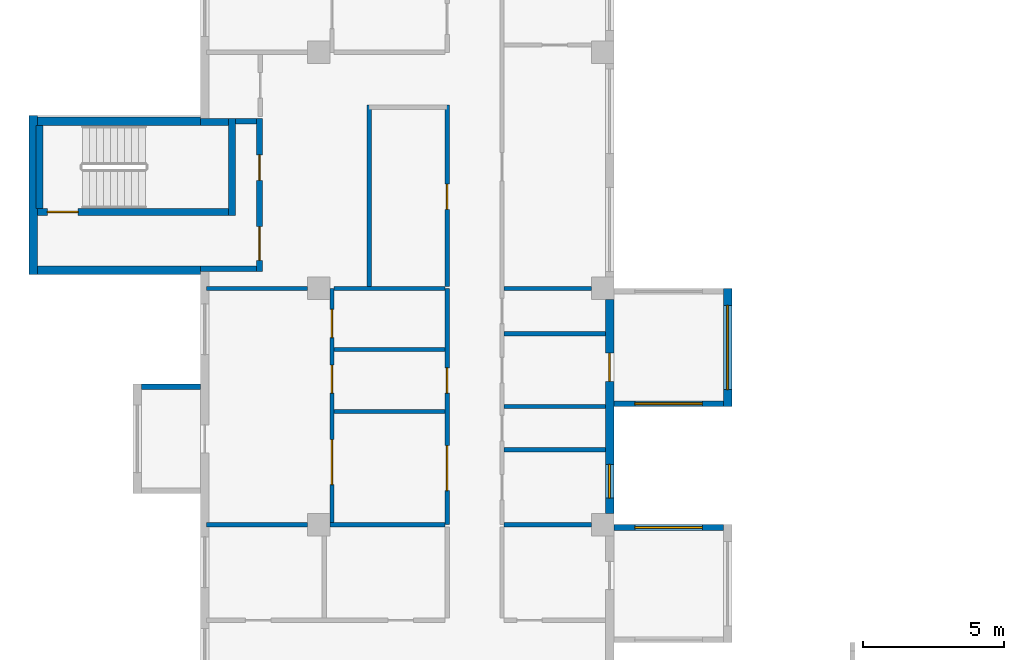
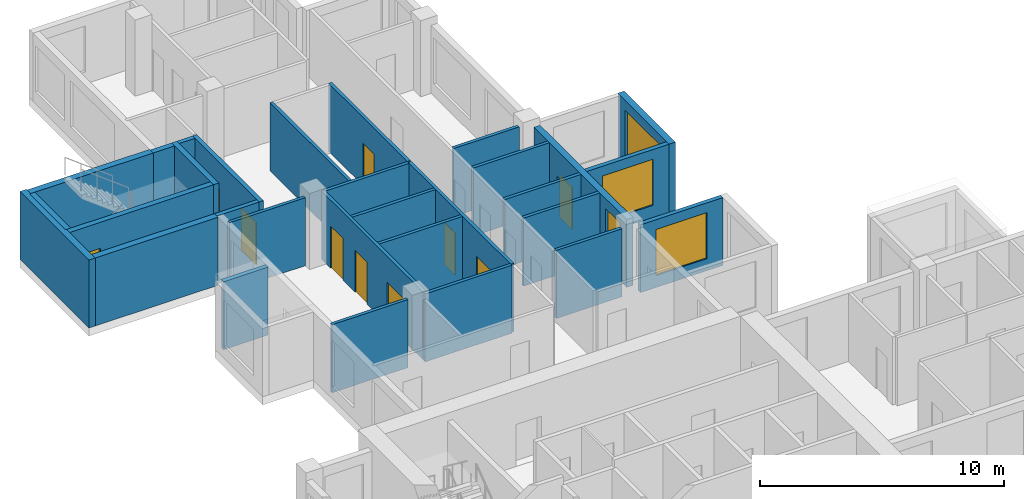
# One storey, part 6 of 11: 30 walls, 10 doors, 4 windows, 14 openings.
"""IFC4 building model written with IfcOpenShell, lengths in metres."""

import ifcopenshell
import ifcopenshell.guid

model = None  # the IFC model being written
_history = None  # IfcOwnerHistory: only IFC2X3 demands one
_inside = {}  # id of a spatial element -> (the spatial element, [elements in it])
_under = {}  # id of a project, library or spatial element -> (it, [spatial elements below it])
_declared = {}  # id of a project -> (the project, [libraries it declares])
_typed = {}  # id of a type object -> (the type object, [elements of that type])
_made_of = {}  # id of a material, layer set ... -> (it, [elements and type objects made of it])


def new_model(schema):
    """Start an empty IFC model of exactly this schema.

    Asked for "IFC4X3", IfcOpenShell would pick the latest addendum, in which some entities
    have other attributes; the version numbers below select the first issue.
    IFC2X3 requires an IfcOwnerHistory on every rooted entity: one is made here for all.
    """
    global model, _history
    if schema == "IFC4X3":
        model = ifcopenshell.file(schema_version=(4, 3, 0, 0))
    else:
        model = ifcopenshell.file(schema=schema)
    _inside.clear()
    _under.clear()
    _declared.clear()
    _typed.clear()
    _made_of.clear()
    _history = None
    if model.schema == "IFC2X3":
        org = make("IfcOrganization", Name="unknown")
        user = make(
            "IfcPersonAndOrganization",
            ThePerson=make("IfcPerson", FamilyName="unknown"),
            TheOrganization=org,
        )
        app = make(
            "IfcApplication",
            ApplicationDeveloper=org,
            Version="unknown",
            ApplicationFullName="unknown",
            ApplicationIdentifier="unknown",
        )
        _history = make(
            "IfcOwnerHistory",
            OwningUser=user,
            OwningApplication=app,
            ChangeAction="ADDED",
            CreationDate=0,
        )
    return model


def make(cls, **values):
    """One entity of the class cls with the attributes given. An attribute that is None is left unset."""
    return model.create_entity(
        cls, **{name: value for name, value in values.items() if value is not None}
    )


def rooted(cls, **values):
    """An entity with a GlobalId (a new one), such as an element, a storey or a relation."""
    return make(cls, GlobalId=ifcopenshell.guid.new(), OwnerHistory=_history, **values)


def si_unit(unit_type, name, prefix=None):
    """IfcSIUnit, for example si_unit("LENGTHUNIT", "METRE", prefix="MILLI")."""
    return make("IfcSIUnit", UnitType=unit_type, Prefix=prefix, Name=name)


def assignment(units):
    """IfcUnitAssignment: the units of a project."""
    return None if units is None else make("IfcUnitAssignment", Units=units)


def point(xyz):
    """IfcCartesianPoint."""
    return None if xyz is None else make("IfcCartesianPoint", Coordinates=xyz)


def direction(xyz):
    """IfcDirection."""
    return None if xyz is None else make("IfcDirection", DirectionRatios=xyz)


def frame(location, z_axis=None, x_axis=None):
    """IfcAxis2Placement3D, a coordinate frame: its origin and axes. An axis left out is left unset."""
    return make(
        "IfcAxis2Placement3D",
        Location=point(location),
        Axis=direction(z_axis),
        RefDirection=direction(x_axis),
    )


def frame_2d(location, x_axis=None):
    """IfcAxis2Placement2D, a coordinate frame in the plane: its origin and x axis."""
    return make(
        "IfcAxis2Placement2D", Location=point(location), RefDirection=direction(x_axis)
    )


def origin():
    """The frame at (0, 0, 0) with its axes left unset."""
    return frame((0.0, 0.0, 0.0))


def place(relative_to, where):
    """IfcLocalPlacement: puts the frame where relative to a parent placement (None: the world)."""
    return make(
        "IfcLocalPlacement", PlacementRelTo=relative_to, RelativePlacement=where
    )


def context(
    kind, dimensions, precision=None, world=None, true_north=None, identifier=None
):
    """IfcGeometricRepresentationContext, for example the 3D "Model" context."""
    return make(
        "IfcGeometricRepresentationContext",
        ContextIdentifier=identifier,
        ContextType=kind,
        CoordinateSpaceDimension=dimensions,
        Precision=precision,
        WorldCoordinateSystem=world,
        TrueNorth=true_north,
    )


def subcontext(parent, identifier, kind, view, scale=None):
    """IfcGeometricRepresentationSubContext, for example "Body" below "Model"."""
    return make(
        "IfcGeometricRepresentationSubContext",
        ContextIdentifier=identifier,
        ContextType=kind,
        ParentContext=parent,
        TargetScale=scale,
        TargetView=view,
    )


def project(units=None, contexts=None):
    """IfcProject with its units and contexts."""
    return rooted(
        "IfcProject",
        Name="project",
        RepresentationContexts=contexts,
        UnitsInContext=assignment(units),
    )


def spatial(cls, under=None, at=None, **own):
    """A site, building, storey or space (cls), placed at a placement, below another one or the project."""
    s = rooted(cls, ObjectPlacement=at, **own)
    if under is not None:
        _under.setdefault(under.id(), (under, []))[1].append(s)
    return s


def profile(cls, at=None, kind="AREA", **sizes):
    """A parametric profile (cls). Its sizes go by their IFC names, for example OverallWidth=200.0."""
    return make(cls, ProfileType=kind, Position=at, **sizes)


def rectangle(**sizes):
    """IfcRectangleProfileDef."""
    return profile("IfcRectangleProfileDef", **sizes)


def extrude(swept, where, along, depth):
    """IfcExtrudedAreaSolid: the profile swept, set in the frame where, extruded along a direction by depth."""
    return make(
        "IfcExtrudedAreaSolid",
        SweptArea=swept,
        Position=where,
        ExtrudedDirection=direction(along),
        Depth=depth,
    )


def shape(context_of_items, identifier, shape_type, items):
    """IfcShapeRepresentation: the items that make up one representation, for example the "Body"."""
    return make(
        "IfcShapeRepresentation",
        ContextOfItems=context_of_items,
        RepresentationIdentifier=identifier,
        RepresentationType=shape_type,
        Items=items,
    )


def source(mapping_origin, context_of_items, identifier, shape_type, items):
    """IfcRepresentationMap: a shape defined once, which mapped items show again and again."""
    return make(
        "IfcRepresentationMap",
        MappingOrigin=mapping_origin,
        MappedRepresentation=shape(context_of_items, identifier, shape_type, items),
    )


def transform(
    local_origin,
    x_axis=None,
    y_axis=None,
    z_axis=None,
    scale=None,
    scale2=None,
    scale3=None,
    uniform=True,
):
    """IfcCartesianTransformationOperator3D, or its non-uniform kind. x_axis, y_axis, z_axis: its Axis1, 2, 3."""
    if uniform:
        return make(
            "IfcCartesianTransformationOperator3D",
            Axis1=direction(x_axis),
            Axis2=direction(y_axis),
            LocalOrigin=point(local_origin),
            Scale=scale,
            Axis3=direction(z_axis),
        )
    return make(
        "IfcCartesianTransformationOperator3DnonUniform",
        Axis1=direction(x_axis),
        Axis2=direction(y_axis),
        LocalOrigin=point(local_origin),
        Scale=scale,
        Axis3=direction(z_axis),
        Scale2=scale2,
        Scale3=scale3,
    )


def mapped(mapping_source, mapping_target):
    """IfcMappedItem: shows the shape of a source again, moved by a transform."""
    return make(
        "IfcMappedItem", MappingSource=mapping_source, MappingTarget=mapping_target
    )


def material(Name=None, Category=None):
    """IfcMaterial."""
    return make("IfcMaterial", Name=Name, Category=Category)


def layer(
    of_material, thickness, ventilated=None, Name=None, Category=None, Priority=None
):
    """IfcMaterialLayer: one layer of a wall or slab, of a material (None: an air gap)."""
    return make(
        "IfcMaterialLayer",
        Material=of_material,
        LayerThickness=thickness,
        IsVentilated=ventilated,
        Name=Name,
        Category=Category,
        Priority=Priority,
    )


def layer_set(layers, Name=None):
    """IfcMaterialLayerSet."""
    return make("IfcMaterialLayerSet", MaterialLayers=layers, LayerSetName=Name)


def made_of(thing, what):
    """Note that an element or type object is made of a material, layer set ...; save() writes the relation."""
    if what is not None:
        _made_of.setdefault(what.id(), (what, []))[1].append(thing)
    return thing


def type_object(cls, material=None, **own):
    """A type object (cls), such as IfcWallType, which elements share."""
    return made_of(rooted(cls, **own), material)


def element(
    cls,
    number,
    at=None,
    inside=None,
    cuts=None,
    type_object=None,
    material=None,
    context=None,
    identifier="Body",
    shape_type=None,
    held_by="IfcProductDefinitionShape",
    body=None,
    shapes=None,
    **own,
):
    """One element of the class cls, such as IfcWall. Its Tag is "e" and its number.

    at: its placement. inside: the storey or other place that contains it. cuts: it is an
    opening in that element (IfcRelVoidsElement). A single representation is given by context,
    identifier, shape_type and body (its items); several are given by shapes. held_by: the class
    of the entity that holds the representations. save() writes the other relations.
    """
    e = rooted(cls, Tag="e%d" % number, ObjectPlacement=at, **own)
    if body is not None:
        shapes = [shape(context, identifier, shape_type, body)]
    if shapes is not None:
        e.Representation = make(held_by, Representations=shapes)
    if inside is not None:
        _inside.setdefault(inside.id(), (inside, []))[1].append(e)
    if cuts is not None:
        rooted(
            "IfcRelVoidsElement", RelatingBuildingElement=cuts, RelatedOpeningElement=e
        )
    if type_object is not None:
        _typed.setdefault(type_object.id(), (type_object, []))[1].append(e)
    return made_of(e, material)


def fill(opening, filler):
    """IfcRelFillsElement: the door or window that sits in an opening."""
    return rooted(
        "IfcRelFillsElement",
        RelatingOpeningElement=opening,
        RelatedBuildingElement=filler,
    )


def aggregate(whole, parts):
    """IfcRelAggregates: a whole, such as a stair, and the parts it consists of."""
    return rooted("IfcRelAggregates", RelatingObject=whole, RelatedObjects=parts)


def save(model, path):
    """Write the relations noted so far, then the file.

    IfcRelAggregates (storeys below a building ...), IfcRelContainedInSpatialStructure (elements
    in a storey), IfcRelDefinesByType, IfcRelAssociatesMaterial and IfcRelDeclares: one each for
    every whole, place, type object, material and project.
    """
    for whole, parts in _under.values():
        aggregate(whole, parts)
    for where, things in _inside.values():
        rooted(
            "IfcRelContainedInSpatialStructure",
            RelatedElements=things,
            RelatingStructure=where,
        )
    for kind, things in _typed.values():
        rooted("IfcRelDefinesByType", RelatedObjects=things, RelatingType=kind)
    for what, things in _made_of.values():
        rooted("IfcRelAssociatesMaterial", RelatedObjects=things, RelatingMaterial=what)
    for by, libraries in _declared.values():
        rooted("IfcRelDeclares", RelatingContext=by, RelatedDefinitions=libraries)
    model.write(path)


model = new_model("IFC4")

# Units and contexts
model_context = context("Model", 3, precision=1e-05, world=origin(), true_north=direction((0.0, 1.0)))
body_context = subcontext(model_context, "Body", "Model", "MODEL_VIEW")
ifc_project = project(units=[si_unit("LENGTHUNIT", "METRE"), si_unit("AREAUNIT", "SQUARE_METRE"), si_unit("VOLUMEUNIT", "CUBIC_METRE"), si_unit("PLANEANGLEUNIT", "RADIAN"), si_unit("MASSUNIT", "GRAM", prefix="KILO")], contexts=[model_context])

# Site, building, storey
site_placement = place(None, origin())
site = spatial("IfcSite", under=ifc_project, at=site_placement, CompositionType="ELEMENT")
building_placement = place(site_placement, origin())
building = spatial("IfcBuilding", under=site, at=building_placement, Name="Aurelian Terraces", CompositionType="ELEMENT")
storey_placement = place(building_placement, frame((0.0, 0.0, 257.6)))
storey = spatial("IfcBuildingStorey", under=building, at=storey_placement, Name="L59", CompositionType="ELEMENT", Elevation=257.6)

# Walls
ifc_material_1 = material(Name="Concrete fc' 40 MPa", Category="concrete")
ifc_layer_1 = layer(ifc_material_1, 0.3)
ifc_layer_set_1 = layer_set([ifc_layer_1], Name="STAIR BAY WALL 300")
wall_type_1 = type_object("IfcWallType", Name="STAIR BAY WALL 300", PredefinedType="SOLIDWALL", material=ifc_layer_set_1)
shared_shape_1 = source(origin(), body_context, "Body", "SweptSolid", [
    extrude(rectangle(XDim=6.1, YDim=0.3, at=frame_2d((3.05, 0.0))), origin(), (0.0, 0.0, 1.0), 3.4),
])
for number, where, z_axis, x_axis, name in (
    (1, (6.3, 43.75, 0.0), (0.0, 0.0, 1.0), (-1.0, 0.0, 0.0), "Stair bay wall L59 F17.29"),
    (2, (0.2, 38.45, 0.0), (0.0, 0.0, 1.0), (1.0, 0.0, 0.0), "Stair bay wall L59 F19.31"),
):
    element("IfcWall", number, at=place(storey_placement, frame(where, z_axis=z_axis, x_axis=x_axis)), inside=storey, type_object=wall_type_1, Name=name, PredefinedType="SOLIDWALL", context=body_context, shape_type="MappedRepresentation", body=[
        mapped(shared_shape_1, transform((0.0, 0.0, 0.0), scale=1.0)),
    ])

# Wall, opening, window
ifc_layer_2 = layer(ifc_material_1, 0.2)
ifc_layer_set_2 = layer_set([ifc_layer_2], Name="BOX BEARING WALL 200")
wall_type_2 = type_object("IfcWallType", Name="BOX BEARING WALL 200", PredefinedType="SOLIDWALL", material=ifc_layer_set_2)
shared_shape_2 = source(origin(), body_context, "Body", "SweptSolid", [
    extrude(rectangle(XDim=3.9, YDim=0.2, at=frame_2d((1.95, 0.0))), origin(), (0.0, 0.0, 1.0), 3.39),
])
wall_1_placement = place(storey_placement, frame((21.0, 29.3, 0.0), z_axis=(0.0, 0.0, 1.0), x_axis=(1.0, 0.0, 0.0)))
wall_1 = element("IfcWall", 3, at=wall_1_placement, inside=storey, type_object=wall_type_2, Name="Box return L59 J86.2", PredefinedType="SOLIDWALL", context=body_context, shape_type="MappedRepresentation", body=[
    mapped(shared_shape_2, transform((0.0, 0.0, 0.0), scale=1.0)),
])
shared_shape_3 = source(origin(), body_context, "Body", "SweptSolid", [
    extrude(rectangle(XDim=2.4, YDim=2.3, at=frame_2d((1.2, 1.15))), frame((0.0, 0.11, 0.0), z_axis=(0.0, -1.0, 0.0), x_axis=(1.0, 0.0, 0.0)), (0.0, 0.0, 1.0), 0.22),
])
opening_1_placement = place(wall_1_placement, frame((0.75, 0.0, 0.6)))
opening_1 = element("IfcOpeningElement", 4, at=opening_1_placement, cuts=wall_1, Name="Opening W2423", PredefinedType="OPENING", context=body_context, shape_type="MappedRepresentation", body=[
    mapped(shared_shape_3, transform((0.0, 0.0, 0.0), scale=1.0)),
])
ifc_material_2 = material(Name="Clear glazing", Category="glass")
window_type_1 = type_object("IfcWindowType", Name="W-2400x2300", PartitioningType="SINGLE_PANEL", PredefinedType="WINDOW", material=ifc_material_2)
shared_shape_4 = source(origin(), body_context, "Body", "SweptSolid", [
    extrude(rectangle(XDim=2.4, YDim=2.3, at=frame_2d((1.2, 1.15))), frame((0.0, 0.03, 0.0), z_axis=(0.0, -1.0, 0.0), x_axis=(1.0, 0.0, 0.0)), (0.0, 0.0, 1.0), 0.06),
])
window_1_placement = place(opening_1_placement, origin())
window_1 = element("IfcWindow", 5, at=window_1_placement, inside=storey, type_object=window_type_1, Name="Window L59 J86-S2", OverallHeight=2.3, OverallWidth=2.4, PartitioningType="SINGLE_PANEL", PredefinedType="WINDOW", context=body_context, shape_type="MappedRepresentation", body=[
    mapped(shared_shape_4, transform((0.0, 0.0, 0.0), scale=1.0)),
])
fill(opening_1, window_1)

wall_2_placement = place(storey_placement, frame((21.0, 33.7, 0.0), z_axis=(0.0, 0.0, 1.0), x_axis=(1.0, 0.0, 0.0)))
wall_2 = element("IfcWall", 6, at=wall_2_placement, inside=storey, type_object=wall_type_2, Name="Box return L59 J87.1", PredefinedType="SOLIDWALL", context=body_context, shape_type="MappedRepresentation", body=[
    mapped(shared_shape_2, transform((0.0, 0.0, 0.0), scale=1.0)),
])
opening_2_placement = place(wall_2_placement, frame((0.75, 0.0, 0.6)))
opening_2 = element("IfcOpeningElement", 7, at=opening_2_placement, cuts=wall_2, Name="Opening W2423", PredefinedType="OPENING", context=body_context, shape_type="MappedRepresentation", body=[
    mapped(shared_shape_3, transform((0.0, 0.0, 0.0), scale=1.0)),
])
window_2_placement = place(opening_2_placement, origin())
window_2 = element("IfcWindow", 8, at=window_2_placement, inside=storey, type_object=window_type_1, Name="Window L59 J87-S1", OverallHeight=2.3, OverallWidth=2.4, PartitioningType="SINGLE_PANEL", PredefinedType="WINDOW", context=body_context, shape_type="MappedRepresentation", body=[
    mapped(shared_shape_4, transform((0.0, 0.0, 0.0), scale=1.0)),
])
fill(opening_2, window_2)

ifc_layer_3 = layer(ifc_material_1, 0.3)
ifc_layer_set_3 = layer_set([ifc_layer_3], Name="BOX BEARING WALL 300")
wall_type_3 = type_object("IfcWallType", Name="BOX BEARING WALL 300", PredefinedType="SOLIDWALL", material=ifc_layer_set_3)
shared_shape_5 = source(origin(), body_context, "Body", "SweptSolid", [
    extrude(rectangle(XDim=4.2, YDim=0.3, at=frame_2d((2.1, 0.0))), origin(), (0.0, 0.0, 1.0), 3.39),
])
wall_3_placement = place(storey_placement, frame((25.05, 33.6, 0.0), z_axis=(0.0, 0.0, 1.0), x_axis=(0.0, 1.0, 0.0)))
wall_3 = element("IfcWall", 9, at=wall_3_placement, inside=storey, type_object=wall_type_3, Name="Box wall L59 J87", PredefinedType="SOLIDWALL", context=body_context, shape_type="MappedRepresentation", body=[
    mapped(shared_shape_5, transform((0.0, 0.0, 0.0), scale=1.0)),
])
shared_shape_6 = source(origin(), body_context, "Body", "SweptSolid", [
    extrude(rectangle(XDim=3.0, YDim=2.3, at=frame_2d((1.5, 1.15))), frame((0.0, 0.16, 0.0), z_axis=(0.0, -1.0, 0.0), x_axis=(1.0, 0.0, 0.0)), (0.0, 0.0, 1.0), 0.32),
])
opening_3_placement = place(wall_3_placement, frame((0.6, 0.0, 0.6)))
opening_3 = element("IfcOpeningElement", 10, at=opening_3_placement, cuts=wall_3, Name="Opening W3023", PredefinedType="OPENING", context=body_context, shape_type="MappedRepresentation", body=[
    mapped(shared_shape_6, transform((0.0, 0.0, 0.0), scale=1.0)),
])
window_type_2 = type_object("IfcWindowType", Name="W-3000x2300", PartitioningType="SINGLE_PANEL", PredefinedType="WINDOW", material=ifc_material_2)
shared_shape_7 = source(origin(), body_context, "Body", "SweptSolid", [
    extrude(rectangle(XDim=3.0, YDim=2.3, at=frame_2d((1.5, 1.15))), frame((0.0, 0.03, 0.0), z_axis=(0.0, -1.0, 0.0), x_axis=(1.0, 0.0, 0.0)), (0.0, 0.0, 1.0), 0.06),
])
window_3_placement = place(opening_3_placement, origin())
window_3 = element("IfcWindow", 11, at=window_3_placement, inside=storey, type_object=window_type_2, Name="Window L59 J87-F1", OverallHeight=2.3, OverallWidth=3.0, PartitioningType="SINGLE_PANEL", PredefinedType="WINDOW", context=body_context, shape_type="MappedRepresentation", body=[
    mapped(shared_shape_7, transform((0.0, 0.0, 0.0), scale=1.0)),
])
fill(opening_3, window_3)

# Walls
shared_shape_8 = source(origin(), body_context, "Body", "SweptSolid", [
    extrude(rectangle(XDim=5.65, YDim=0.3, at=frame_2d((2.825, 0.0))), origin(), (0.0, 0.0, 1.0), 3.4),
])
wall_4_placement = place(storey_placement, frame((0.35, 43.95, 0.0), z_axis=(0.0, 0.0, 1.0), x_axis=(0.0, -1.0, 0.0)))
element("IfcWall", 12, at=wall_4_placement, inside=storey, type_object=wall_type_1, Name="Stair bay wall L59 F18.30", PredefinedType="SOLIDWALL", context=body_context, shape_type="MappedRepresentation", body=[
    mapped(shared_shape_8, transform((0.0, 0.0, 0.0), scale=1.0)),
])
shared_shape_9 = source(origin(), body_context, "Body", "SweptSolid", [
    extrude(rectangle(XDim=2.1, YDim=0.2, at=frame_2d((1.05, 0.0))), origin(), (0.0, 0.0, 1.0), 3.4),
])
wall_5_placement = place(storey_placement, frame((6.3, 34.3, 0.0), z_axis=(0.0, 0.0, 1.0), x_axis=(-1.0, 0.0, 0.0)))
element("IfcWall", 13, at=wall_5_placement, inside=storey, type_object=wall_type_2, Name="Box return L59 J85.1", PredefinedType="SOLIDWALL", context=body_context, shape_type="MappedRepresentation", body=[
    mapped(shared_shape_9, transform((0.0, 0.0, 0.0), scale=1.0)),
])

# Wall, openings, window, door
ifc_material_3 = material(Name="Terracotta rainscreen cladding", Category="masonry")
ifc_layer_4 = layer(ifc_material_3, 0.3)
ifc_layer_set_4 = layer_set([ifc_layer_4], Name="EW-300")
wall_type_4 = type_object("IfcWallType", Name="EW-300", PredefinedType="STANDARD", material=ifc_layer_set_4)
shared_shape_10 = source(origin(), body_context, "Body", "SweptSolid", [
    extrude(rectangle(XDim=7.6, YDim=0.3, at=frame_2d((3.8, 0.0))), origin(), (0.0, 0.0, 1.0), 3.4),
])
wall_6_placement = place(storey_placement, frame((20.85, 29.8, 0.0), z_axis=(0.0, 0.0, 1.0), x_axis=(0.0, 1.0, 0.0)))
wall_6 = element("IfcWall", 14, at=wall_6_placement, inside=storey, type_object=wall_type_4, Name="External wall L59 F12.21", PredefinedType="STANDARD", context=body_context, shape_type="MappedRepresentation", body=[
    mapped(shared_shape_10, transform((0.0, 0.0, 0.0), scale=1.0)),
])
shared_shape_11 = source(origin(), body_context, "Body", "SweptSolid", [
    extrude(rectangle(XDim=1.2, YDim=2.3, at=frame_2d((0.6, 1.15))), frame((0.0, 0.16, 0.0), z_axis=(0.0, -1.0, 0.0), x_axis=(1.0, 0.0, 0.0)), (0.0, 0.0, 1.0), 0.32),
])
opening_4_placement = place(wall_6_placement, frame((0.546, 0.0, 0.6)))
opening_4 = element("IfcOpeningElement", 15, at=opening_4_placement, cuts=wall_6, Name="Opening W1223", PredefinedType="OPENING", context=body_context, shape_type="MappedRepresentation", body=[
    mapped(shared_shape_11, transform((0.0, 0.0, 0.0), scale=1.0)),
])
shared_shape_12 = source(origin(), body_context, "Body", "SweptSolid", [
    extrude(rectangle(XDim=1.0, YDim=2.1, at=frame_2d((0.5, 1.05))), frame((0.0, 0.16, 0.0), z_axis=(0.0, -1.0, 0.0), x_axis=(1.0, 0.0, 0.0)), (0.0, 0.0, 1.0), 0.32),
])
opening_5_placement = place(wall_6_placement, frame((4.7, 0.0, 0.0)))
opening_5 = element("IfcOpeningElement", 16, at=opening_5_placement, cuts=wall_6, Name="Opening 859005", PredefinedType="OPENING", context=body_context, shape_type="MappedRepresentation", body=[
    mapped(shared_shape_12, transform((0.0, 0.0, 0.0), scale=1.0)),
])
window_type_3 = type_object("IfcWindowType", Name="W-1200x2300", PartitioningType="SINGLE_PANEL", PredefinedType="WINDOW", material=ifc_material_2)
shared_shape_13 = source(origin(), body_context, "Body", "SweptSolid", [
    extrude(rectangle(XDim=1.2, YDim=2.3, at=frame_2d((0.6, 1.15))), frame((0.0, 0.03, 0.0), z_axis=(0.0, -1.0, 0.0), x_axis=(1.0, 0.0, 0.0)), (0.0, 0.0, 1.0), 0.06),
])
window_4_placement = place(opening_4_placement, origin())
window_4 = element("IfcWindow", 17, at=window_4_placement, inside=storey, type_object=window_type_3, Name="Window L59 L59-F12-21-0", OverallHeight=2.3, OverallWidth=1.2, PartitioningType="SINGLE_PANEL", PredefinedType="WINDOW", context=body_context, shape_type="MappedRepresentation", body=[
    mapped(shared_shape_13, transform((0.0, 0.0, 0.0), scale=1.0)),
])
fill(opening_4, window_4)
ifc_material_4 = material(Name="Timber door leaf", Category="wood")
door_type_1 = type_object("IfcDoorType", Name="Room door 1000x2100 left", OperationType="SINGLE_SWING_LEFT", PredefinedType="DOOR", material=ifc_material_4)
shared_shape_14 = source(origin(), body_context, "Body", "SweptSolid", [
    extrude(rectangle(XDim=1.0, YDim=2.1, at=frame_2d((0.5, 1.05))), frame((0.0, 0.025, 0.0), z_axis=(0.0, -1.0, 0.0), x_axis=(1.0, 0.0, 0.0)), (0.0, 0.0, 1.0), 0.05),
])
door_1_placement = place(opening_5_placement, origin())
door_1 = element("IfcDoor", 18, at=door_1_placement, inside=storey, type_object=door_type_1, Name="Door 859005", OperationType="SINGLE_SWING_LEFT", OverallHeight=2.1, OverallWidth=1.0, PredefinedType="DOOR", context=body_context, shape_type="MappedRepresentation", body=[
    mapped(shared_shape_14, transform((0.0, 0.0, 0.0), scale=1.0)),
])
fill(opening_5, door_1)

# Wall, opening, door
ifc_layer_5 = layer(ifc_material_1, 0.25)
ifc_layer_set_5 = layer_set([ifc_layer_5], Name="Stair enclosure wall 250")
wall_type_5 = type_object("IfcWallType", Name="Stair enclosure wall 250", PredefinedType="SOLIDWALL", material=ifc_layer_set_5)
shared_shape_15 = source(origin(), body_context, "Body", "SweptSolid", [
    extrude(rectangle(XDim=7.0, YDim=0.25, at=frame_2d((3.5, 0.0))), origin(), (0.0, 0.0, 1.0), 3.4),
])
wall_7_placement = place(storey_placement, frame((0.3, 40.525, 0.0), z_axis=(0.0, 0.0, 1.0), x_axis=(1.0, 0.0, 0.0)))
wall_7 = element("IfcWall", 19, at=wall_7_placement, inside=storey, type_object=wall_type_5, Name="L59 core wall ST-S3-W", PredefinedType="SOLIDWALL", context=body_context, shape_type="MappedRepresentation", body=[
    mapped(shared_shape_15, transform((0.0, 0.0, 0.0), scale=1.0)),
])
shared_shape_16 = source(origin(), body_context, "Body", "SweptSolid", [
    extrude(rectangle(XDim=1.1, YDim=2.1, at=frame_2d((0.55, 1.05))), frame((0.0, 0.135, 0.0), z_axis=(0.0, -1.0, 0.0), x_axis=(1.0, 0.0, 0.0)), (0.0, 0.0, 1.0), 0.27),
])
opening_6_placement = place(wall_7_placement, frame((0.55, 0.0, 0.0)))
opening_6 = element("IfcOpeningElement", 20, at=opening_6_placement, cuts=wall_7, Name="Opening 66218", PredefinedType="OPENING", context=body_context, shape_type="MappedRepresentation", body=[
    mapped(shared_shape_16, transform((0.0, 0.0, 0.0), scale=1.0)),
])
ifc_material_5 = material(Name="Steel door leaf", Category="steel")
door_type_2 = type_object("IfcDoorType", Name="Core fire door 1100x2100", OperationType="SINGLE_SWING_LEFT", PredefinedType="DOOR", material=ifc_material_5)
shared_shape_17 = source(origin(), body_context, "Body", "SweptSolid", [
    extrude(rectangle(XDim=1.1, YDim=2.1, at=frame_2d((0.55, 1.05))), frame((0.0, 0.025, 0.0), z_axis=(0.0, -1.0, 0.0), x_axis=(1.0, 0.0, 0.0)), (0.0, 0.0, 1.0), 0.05),
])
door_2_placement = place(opening_6_placement, origin())
door_2 = element("IfcDoor", 21, at=door_2_placement, inside=storey, type_object=door_type_2, Name="Stair door 66218", OperationType="SINGLE_SWING_LEFT", OverallHeight=2.1, OverallWidth=1.1, PredefinedType="DOOR", context=body_context, shape_type="MappedRepresentation", body=[
    mapped(shared_shape_17, transform((0.0, 0.0, 0.0), scale=1.0)),
])
fill(opening_6, door_2)

# Walls
shared_shape_18 = source(origin(), body_context, "Body", "SweptSolid", [
    extrude(rectangle(XDim=3.45, YDim=0.25, at=frame_2d((1.725, 0.0))), origin(), (0.0, 0.0, 1.0), 3.4),
])
wall_8_placement = place(storey_placement, frame((7.425, 40.4, 0.0), z_axis=(0.0, 0.0, 1.0), x_axis=(0.0, 1.0, 0.0)))
element("IfcWall", 22, at=wall_8_placement, inside=storey, type_object=wall_type_5, Name="L59 core wall ST-S3-N", PredefinedType="SOLIDWALL", context=body_context, shape_type="MappedRepresentation", body=[
    mapped(shared_shape_18, transform((0.0, 0.0, 0.0), scale=1.0)),
])
shared_shape_19 = source(origin(), body_context, "Body", "SweptSolid", [
    extrude(rectangle(XDim=2.95, YDim=0.25, at=frame_2d((1.475, 0.0))), origin(), (0.0, 0.0, 1.0), 3.4),
])
wall_9_placement = place(storey_placement, frame((0.575, 40.65, 0.0), z_axis=(0.0, 0.0, 1.0), x_axis=(0.0, 1.0, 0.0)))
element("IfcWall", 23, at=wall_9_placement, inside=storey, type_object=wall_type_5, Name="L59 core wall ST-S3-SS", PredefinedType="SOLIDWALL", context=body_context, shape_type="MappedRepresentation", body=[
    mapped(shared_shape_19, transform((0.0, 0.0, 0.0), scale=1.0)),
])

# Wall, openings, doors
ifc_material_6 = material(Name="Gypsum board on steel studs", Category="steel")
ifc_layer_6 = layer(ifc_material_6, 0.2)
ifc_layer_set_6 = layer_set([ifc_layer_6], Name="Core partition 200")
wall_type_6 = type_object("IfcWallType", Name="Core partition 200", PredefinedType="PARTITIONING", material=ifc_layer_set_6)
shared_shape_20 = source(origin(), body_context, "Body", "SweptSolid", [
    extrude(rectangle(XDim=5.45, YDim=0.2, at=frame_2d((2.725, 0.0))), origin(), (0.0, 0.0, 1.0), 3.4),
])
wall_10_placement = place(storey_placement, frame((8.4, 38.4, 0.0), z_axis=(0.0, 0.0, 1.0), x_axis=(0.0, 1.0, 0.0)))
wall_10 = element("IfcWall", 24, at=wall_10_placement, inside=storey, type_object=wall_type_6, Name="L59 core wall ST-S3-BN", PredefinedType="PARTITIONING", context=body_context, shape_type="MappedRepresentation", body=[
    mapped(shared_shape_20, transform((0.0, 0.0, 0.0), scale=1.0)),
])
shared_shape_21 = source(origin(), body_context, "Body", "SweptSolid", [
    extrude(rectangle(XDim=1.2, YDim=2.1, at=frame_2d((0.6, 1.05))), frame((0.0, 0.11, 0.0), z_axis=(0.0, -1.0, 0.0), x_axis=(1.0, 0.0, 0.0)), (0.0, 0.0, 1.0), 0.22),
])
opening_7_placement = place(wall_10_placement, frame((0.4, 0.0, 0.0)))
opening_7 = element("IfcOpeningElement", 25, at=opening_7_placement, cuts=wall_10, Name="Opening 66219", PredefinedType="OPENING", context=body_context, shape_type="MappedRepresentation", body=[
    mapped(shared_shape_21, transform((0.0, 0.0, 0.0), scale=1.0)),
])
shared_shape_22 = source(origin(), body_context, "Body", "SweptSolid", [
    extrude(rectangle(XDim=0.9, YDim=2.1, at=frame_2d((0.45, 1.05))), frame((0.0, 0.11, 0.0), z_axis=(0.0, -1.0, 0.0), x_axis=(1.0, 0.0, 0.0)), (0.0, 0.0, 1.0), 0.22),
])
opening_8_placement = place(wall_10_placement, frame((3.25, 0.0, 0.0)))
opening_8 = element("IfcOpeningElement", 26, at=opening_8_placement, cuts=wall_10, Name="Opening 66220", PredefinedType="OPENING", context=body_context, shape_type="MappedRepresentation", body=[
    mapped(shared_shape_22, transform((0.0, 0.0, 0.0), scale=1.0)),
])
door_type_3 = type_object("IfcDoorType", Name="Core riser door 900x2100", OperationType="SINGLE_SWING_LEFT", PredefinedType="DOOR", material=ifc_material_5)
shared_shape_23 = source(origin(), body_context, "Body", "SweptSolid", [
    extrude(rectangle(XDim=0.9, YDim=2.1, at=frame_2d((0.45, 1.05))), frame((0.0, 0.025, 0.0), z_axis=(0.0, -1.0, 0.0), x_axis=(1.0, 0.0, 0.0)), (0.0, 0.0, 1.0), 0.05),
])
door_3_placement = place(opening_8_placement, origin())
door_3 = element("IfcDoor", 27, at=door_3_placement, inside=storey, type_object=door_type_3, Name="Riser door 66220", OperationType="SINGLE_SWING_LEFT", OverallHeight=2.1, OverallWidth=0.9, PredefinedType="DOOR", context=body_context, shape_type="MappedRepresentation", body=[
    mapped(shared_shape_23, transform((0.0, 0.0, 0.0), scale=1.0)),
])
fill(opening_8, door_3)
door_type_4 = type_object("IfcDoorType", Name="Core fire door 1200x2100 right", OperationType="SINGLE_SWING_RIGHT", PredefinedType="DOOR", material=ifc_material_5)
shared_shape_24 = source(origin(), body_context, "Body", "SweptSolid", [
    extrude(rectangle(XDim=1.2, YDim=2.1, at=frame_2d((0.6, 1.05))), frame((0.0, 0.025, 0.0), z_axis=(0.0, -1.0, 0.0), x_axis=(1.0, 0.0, 0.0)), (0.0, 0.0, 1.0), 0.05),
])
door_4_placement = place(opening_7_placement, origin())
door_4 = element("IfcDoor", 28, at=door_4_placement, inside=storey, type_object=door_type_4, Name="Vestibule door 66219", OperationType="SINGLE_SWING_RIGHT", OverallHeight=2.1, OverallWidth=1.2, PredefinedType="DOOR", context=body_context, shape_type="MappedRepresentation", body=[
    mapped(shared_shape_24, transform((0.0, 0.0, 0.0), scale=1.0)),
])
fill(opening_7, door_4)

# Walls
shared_shape_25 = source(origin(), body_context, "Body", "SweptSolid", [
    extrude(rectangle(XDim=0.75, YDim=0.2, at=frame_2d((0.375, 0.0))), origin(), (0.0, 0.0, 1.0), 3.4),
])
wall_11_placement = place(storey_placement, frame((7.55, 43.75, 0.0), z_axis=(0.0, 0.0, 1.0), x_axis=(1.0, 0.0, 0.0)))
element("IfcWall", 29, at=wall_11_placement, inside=storey, type_object=wall_type_6, Name="L59 core wall ST-S3-RE", PredefinedType="PARTITIONING", context=body_context, shape_type="MappedRepresentation", body=[
    mapped(shared_shape_25, transform((0.0, 0.0, 0.0), scale=1.0)),
])
shared_shape_26 = source(origin(), body_context, "Body", "SweptSolid", [
    extrude(rectangle(XDim=1.0, YDim=0.25, at=frame_2d((0.5, 0.0))), origin(), (0.0, 0.0, 1.0), 3.4),
])
wall_12_placement = place(storey_placement, frame((6.3, 43.725, 0.0), z_axis=(0.0, 0.0, 1.0), x_axis=(1.0, 0.0, 0.0)))
element("IfcWall", 30, at=wall_12_placement, inside=storey, type_object=wall_type_5, Name="L59 core wall ST-S3-E", PredefinedType="SOLIDWALL", context=body_context, shape_type="MappedRepresentation", body=[
    mapped(shared_shape_26, transform((0.0, 0.0, 0.0), scale=1.0)),
])
shared_shape_27 = source(origin(), body_context, "Body", "SweptSolid", [
    extrude(rectangle(XDim=2.0, YDim=0.2, at=frame_2d((1.0, 0.0))), origin(), (0.0, 0.0, 1.0), 3.4),
])
wall_13_placement = place(storey_placement, frame((6.3, 38.5, 0.0), z_axis=(0.0, 0.0, 1.0), x_axis=(1.0, 0.0, 0.0)))
element("IfcWall", 31, at=wall_13_placement, inside=storey, type_object=wall_type_6, Name="L59 core wall ST-S3-VW", PredefinedType="PARTITIONING", context=body_context, shape_type="MappedRepresentation", body=[
    mapped(shared_shape_27, transform((0.0, 0.0, 0.0), scale=1.0)),
])
ifc_layer_7 = layer(ifc_material_6, 0.15)
ifc_layer_set_7 = layer_set([ifc_layer_7], Name="Partition 150")
wall_type_7 = type_object("IfcWallType", Name="Partition 150", PredefinedType="PARTITIONING", material=ifc_layer_set_7)
shared_shape_28 = source(origin(), body_context, "Body", "SweptSolid", [
    extrude(rectangle(XDim=6.45, YDim=0.15, at=frame_2d((3.225, 0.0))), origin(), (0.0, 0.0, 1.0), 3.4),
])
wall_14_placement = place(storey_placement, frame((12.3, 44.325, 0.0), z_axis=(0.0, 0.0, 1.0), x_axis=(0.0, -1.0, 0.0)))
element("IfcWall", 32, at=wall_14_placement, inside=storey, type_object=wall_type_7, Name="Partition", PredefinedType="PARTITIONING", context=body_context, shape_type="MappedRepresentation", body=[
    mapped(shared_shape_28, transform((0.0, 0.0, 0.0), scale=1.0)),
])

# Wall, opening, door
ifc_layer_8 = layer(ifc_material_6, 0.15)
ifc_layer_set_8 = layer_set([ifc_layer_8], Name="Fire partition 150")
wall_type_8 = type_object("IfcWallType", Name="Fire partition 150", PredefinedType="PARTITIONING", material=ifc_layer_set_8)
wall_15_placement = place(storey_placement, frame((15.075, 37.875, 0.0), z_axis=(0.0, 0.0, 1.0), x_axis=(0.0, 1.0, 0.0)))
wall_15 = element("IfcWall", 33, at=wall_15_placement, inside=storey, type_object=wall_type_8, Name="Corridor wall", PredefinedType="PARTITIONING", context=body_context, shape_type="MappedRepresentation", body=[
    mapped(shared_shape_28, transform((0.0, 0.0, 0.0), scale=1.0)),
])
shared_shape_29 = source(origin(), body_context, "Body", "SweptSolid", [
    extrude(rectangle(XDim=0.9, YDim=2.1, at=frame_2d((0.45, 1.05))), frame((0.0, 0.085, 0.0), z_axis=(0.0, -1.0, 0.0), x_axis=(1.0, 0.0, 0.0)), (0.0, 0.0, 1.0), 0.17),
])
opening_9_placement = place(wall_15_placement, frame((2.7375, 0.0, 0.0)))
opening_9 = element("IfcOpeningElement", 34, at=opening_9_placement, cuts=wall_15, Name="Opening 759018", PredefinedType="OPENING", context=body_context, shape_type="MappedRepresentation", body=[
    mapped(shared_shape_29, transform((0.0, 0.0, 0.0), scale=1.0)),
])
door_type_5 = type_object("IfcDoorType", Name="Room door 900x2100 left", OperationType="SINGLE_SWING_LEFT", PredefinedType="DOOR", material=ifc_material_4)
door_5_placement = place(opening_9_placement, origin())
door_5 = element("IfcDoor", 35, at=door_5_placement, inside=storey, type_object=door_type_5, Name="Door 759018", OperationType="SINGLE_SWING_LEFT", OverallHeight=2.1, OverallWidth=0.9, PredefinedType="DOOR", context=body_context, shape_type="MappedRepresentation", body=[
    mapped(shared_shape_23, transform((0.0, 0.0, 0.0), scale=1.0)),
])
fill(opening_9, door_5)

# Walls
shared_shape_30 = source(origin(), body_context, "Body", "SweptSolid", [
    extrude(rectangle(XDim=3.6, YDim=0.15, at=frame_2d((1.8, 0.0))), origin(), (0.0, 0.0, 1.0), 3.4),
])
for number, where, z_axis, x_axis, name in (
    (36, (17.1, 32.067, 0.0), (0.0, 0.0, 1.0), (1.0, 0.0, 0.0), "Partition"),
    (37, (17.1, 36.194, 0.0), (0.0, 0.0, 1.0), (1.0, 0.0, 0.0), "Partition"),
):
    element("IfcWall", number, at=place(storey_placement, frame(where, z_axis=z_axis, x_axis=x_axis)), inside=storey, type_object=wall_type_7, Name=name, PredefinedType="PARTITIONING", context=body_context, shape_type="MappedRepresentation", body=[
        mapped(shared_shape_30, transform((0.0, 0.0, 0.0), scale=1.0)),
    ])
wall_16_placement = place(storey_placement, frame((20.7, 33.6, 0.0), z_axis=(0.0, 0.0, 1.0), x_axis=(-1.0, 0.0, 0.0)))
element("IfcWall", 38, at=wall_16_placement, inside=storey, type_object=wall_type_8, Name="Party wall", PredefinedType="PARTITIONING", context=body_context, shape_type="MappedRepresentation", body=[
    mapped(shared_shape_30, transform((0.0, 0.0, 0.0), scale=1.0)),
])

# Wall, openings, doors
shared_shape_31 = source(origin(), body_context, "Body", "SweptSolid", [
    extrude(rectangle(XDim=8.4, YDim=0.15, at=frame_2d((4.2, 0.0))), origin(), (0.0, 0.0, 1.0), 3.4),
])
wall_17_placement = place(storey_placement, frame((10.975, 29.4, 0.0), z_axis=(0.0, 0.0, 1.0), x_axis=(0.0, 1.0, 0.0)))
wall_17 = element("IfcWall", 39, at=wall_17_placement, inside=storey, type_object=wall_type_7, Name="Partition", PredefinedType="PARTITIONING", context=body_context, shape_type="MappedRepresentation", body=[
    mapped(shared_shape_31, transform((0.0, 0.0, 0.0), scale=1.0)),
])
shared_shape_32 = source(origin(), body_context, "Body", "SweptSolid", [
    extrude(rectangle(XDim=1.6, YDim=2.1, at=frame_2d((0.8, 1.05))), frame((0.0, 0.085, 0.0), z_axis=(0.0, -1.0, 0.0), x_axis=(1.0, 0.0, 0.0)), (0.0, 0.0, 1.0), 0.17),
])
opening_10_placement = place(wall_17_placement, frame((1.4237, 0.0, 0.0)))
opening_10 = element("IfcOpeningElement", 40, at=opening_10_placement, cuts=wall_17, Name="Opening 759021", PredefinedType="OPENING", context=body_context, shape_type="MappedRepresentation", body=[
    mapped(shared_shape_32, transform((0.0, 0.0, 0.0), scale=1.0)),
])
shared_shape_33 = source(origin(), body_context, "Body", "SweptSolid", [
    extrude(rectangle(XDim=1.0, YDim=2.1, at=frame_2d((0.5, 1.05))), frame((0.0, 0.085, 0.0), z_axis=(0.0, -1.0, 0.0), x_axis=(1.0, 0.0, 0.0)), (0.0, 0.0, 1.0), 0.17),
])
opening_11_placement = place(wall_17_placement, frame((4.6776, 0.0, 0.0)))
opening_11 = element("IfcOpeningElement", 41, at=opening_11_placement, cuts=wall_17, Name="Opening 759022", PredefinedType="OPENING", context=body_context, shape_type="MappedRepresentation", body=[
    mapped(shared_shape_33, transform((0.0, 0.0, 0.0), scale=1.0)),
])
opening_12_placement = place(wall_17_placement, frame((6.6539, 0.0, 0.0)))
opening_12 = element("IfcOpeningElement", 42, at=opening_12_placement, cuts=wall_17, Name="Opening 759023", PredefinedType="OPENING", context=body_context, shape_type="MappedRepresentation", body=[
    mapped(shared_shape_33, transform((0.0, 0.0, 0.0), scale=1.0)),
])
door_type_6 = type_object("IfcDoorType", Name="Room door 1000x2100 right", OperationType="SINGLE_SWING_RIGHT", PredefinedType="DOOR", material=ifc_material_4)
door_6_placement = place(opening_11_placement, origin())
door_6 = element("IfcDoor", 43, at=door_6_placement, inside=storey, type_object=door_type_6, Name="Door 759022", OperationType="SINGLE_SWING_RIGHT", OverallHeight=2.1, OverallWidth=1.0, PredefinedType="DOOR", context=body_context, shape_type="MappedRepresentation", body=[
    mapped(shared_shape_14, transform((0.0, 0.0, 0.0), scale=1.0)),
])
fill(opening_11, door_6)
door_7_placement = place(opening_12_placement, origin())
door_7 = element("IfcDoor", 44, at=door_7_placement, inside=storey, type_object=door_type_1, Name="Door 759023", OperationType="SINGLE_SWING_LEFT", OverallHeight=2.1, OverallWidth=1.0, PredefinedType="DOOR", context=body_context, shape_type="MappedRepresentation", body=[
    mapped(shared_shape_14, transform((0.0, 0.0, 0.0), scale=1.0)),
])
fill(opening_12, door_7)
door_type_7 = type_object("IfcDoorType", Name="Room door 1600x2100 left", OperationType="SINGLE_SWING_LEFT", PredefinedType="DOOR", material=ifc_material_4)
shared_shape_34 = source(origin(), body_context, "Body", "SweptSolid", [
    extrude(rectangle(XDim=1.6, YDim=2.1, at=frame_2d((0.8, 1.05))), frame((0.0, 0.025, 0.0), z_axis=(0.0, -1.0, 0.0), x_axis=(1.0, 0.0, 0.0)), (0.0, 0.0, 1.0), 0.05),
])
door_8_placement = place(opening_10_placement, origin())
door_8 = element("IfcDoor", 45, at=door_8_placement, inside=storey, type_object=door_type_7, Name="Door 759021", OperationType="SINGLE_SWING_LEFT", OverallHeight=2.1, OverallWidth=1.6, PredefinedType="DOOR", context=body_context, shape_type="MappedRepresentation", body=[
    mapped(shared_shape_34, transform((0.0, 0.0, 0.0), scale=1.0)),
])
fill(opening_10, door_8)

wall_18_placement = place(storey_placement, frame((15.075, 29.4, 0.0), z_axis=(0.0, 0.0, 1.0), x_axis=(0.0, 1.0, 0.0)))
wall_18 = element("IfcWall", 46, at=wall_18_placement, inside=storey, type_object=wall_type_8, Name="Corridor wall", PredefinedType="PARTITIONING", context=body_context, shape_type="MappedRepresentation", body=[
    mapped(shared_shape_31, transform((0.0, 0.0, 0.0), scale=1.0)),
])
opening_13_placement = place(wall_18_placement, frame((1.2112, 0.0, 0.0)))
opening_13 = element("IfcOpeningElement", 47, at=opening_13_placement, cuts=wall_18, Name="Opening 759020", PredefinedType="OPENING", context=body_context, shape_type="MappedRepresentation", body=[
    mapped(shared_shape_32, transform((0.0, 0.0, 0.0), scale=1.0)),
])
opening_14_placement = place(wall_18_placement, frame((4.6776, 0.0, 0.0)))
opening_14 = element("IfcOpeningElement", 48, at=opening_14_placement, cuts=wall_18, Name="Opening 759024", PredefinedType="OPENING", context=body_context, shape_type="MappedRepresentation", body=[
    mapped(shared_shape_29, transform((0.0, 0.0, 0.0), scale=1.0)),
])
door_type_8 = type_object("IfcDoorType", Name="Entrance fire door 900x2100 right", OperationType="SINGLE_SWING_RIGHT", PredefinedType="DOOR", material=ifc_material_5)
door_9_placement = place(opening_14_placement, origin())
door_9 = element("IfcDoor", 49, at=door_9_placement, inside=storey, type_object=door_type_8, Name="Door 759024", OperationType="SINGLE_SWING_RIGHT", OverallHeight=2.1, OverallWidth=0.9, PredefinedType="DOOR", context=body_context, shape_type="MappedRepresentation", body=[
    mapped(shared_shape_23, transform((0.0, 0.0, 0.0), scale=1.0)),
])
fill(opening_14, door_9)
door_type_9 = type_object("IfcDoorType", Name="Entrance fire door 1600x2100 right", OperationType="SINGLE_SWING_RIGHT", PredefinedType="DOOR", material=ifc_material_5)
door_10_placement = place(opening_13_placement, origin())
door_10 = element("IfcDoor", 50, at=door_10_placement, inside=storey, type_object=door_type_9, Name="Door 759020", OperationType="SINGLE_SWING_RIGHT", OverallHeight=2.1, OverallWidth=1.6, PredefinedType="DOOR", context=body_context, shape_type="MappedRepresentation", body=[
    mapped(shared_shape_34, transform((0.0, 0.0, 0.0), scale=1.0)),
])
fill(opening_13, door_10)

# Walls
shared_shape_35 = source(origin(), body_context, "Body", "SweptSolid", [
    extrude(rectangle(XDim=3.95, YDim=0.15, at=frame_2d((1.975, 0.0))), origin(), (0.0, 0.0, 1.0), 3.4),
])
for number, where, z_axis, x_axis, name in (
    (51, (15.0, 33.4224, 0.0), (0.0, 0.0, 1.0), (-1.0, 0.0, 0.0), "Partition"),
    (52, (15.0, 35.6329, 0.0), (0.0, 0.0, 1.0), (-1.0, 0.0, 0.0), "Partition"),
):
    element("IfcWall", number, at=place(storey_placement, frame(where, z_axis=z_axis, x_axis=x_axis)), inside=storey, type_object=wall_type_7, Name=name, PredefinedType="PARTITIONING", context=body_context, shape_type="MappedRepresentation", body=[
        mapped(shared_shape_35, transform((0.0, 0.0, 0.0), scale=1.0)),
    ])
wall_19_placement = place(storey_placement, frame((15.0, 37.8, 0.0), z_axis=(0.0, 0.0, 1.0), x_axis=(-1.0, 0.0, 0.0)))
element("IfcWall", 53, at=wall_19_placement, inside=storey, type_object=wall_type_8, Name="Party wall", PredefinedType="PARTITIONING", context=body_context, shape_type="MappedRepresentation", body=[
    mapped(shared_shape_35, transform((0.0, 0.0, 0.0), scale=1.0)),
])
shared_shape_36 = source(origin(), body_context, "Body", "SweptSolid", [
    extrude(rectangle(XDim=4.101, YDim=0.15, at=frame_2d((2.0505, 0.0))), origin(), (0.0, 0.0, 1.0), 3.4),
])
wall_20_placement = place(storey_placement, frame((15.0, 29.4, 0.0), z_axis=(0.0, 0.0, 1.0), x_axis=(-1.0, 0.0, 0.0)))
element("IfcWall", 54, at=wall_20_placement, inside=storey, type_object=wall_type_7, Name="Partition", PredefinedType="PARTITIONING", context=body_context, shape_type="MappedRepresentation", body=[
    mapped(shared_shape_36, transform((0.0, 0.0, 0.0), scale=1.0)),
])
shared_shape_37 = source(origin(), body_context, "Body", "SweptSolid", [
    extrude(rectangle(XDim=3.101, YDim=0.15, at=frame_2d((1.5505, 0.0))), origin(), (0.0, 0.0, 1.0), 3.4),
])
wall_21_placement = place(storey_placement, frame((20.201, 29.4, 0.0), z_axis=(0.0, 0.0, 1.0), x_axis=(-1.0, 0.0, 0.0)))
element("IfcWall", 55, at=wall_21_placement, inside=storey, type_object=wall_type_7, Name="Partition", PredefinedType="PARTITIONING", context=body_context, shape_type="MappedRepresentation", body=[
    mapped(shared_shape_37, transform((0.0, 0.0, 0.0), scale=1.0)),
])
wall_22_placement = place(storey_placement, frame((20.201, 37.8, 0.0), z_axis=(0.0, 0.0, 1.0), x_axis=(-1.0, 0.0, 0.0)))
element("IfcWall", 56, at=wall_22_placement, inside=storey, type_object=wall_type_8, Name="Party wall", PredefinedType="PARTITIONING", context=body_context, shape_type="MappedRepresentation", body=[
    mapped(shared_shape_37, transform((0.0, 0.0, 0.0), scale=1.0)),
])
shared_shape_38 = source(origin(), body_context, "Body", "SweptSolid", [
    extrude(rectangle(XDim=3.596, YDim=0.15, at=frame_2d((1.798, 0.0))), origin(), (0.0, 0.0, 1.0), 3.4),
])
wall_23_placement = place(storey_placement, frame((10.101, 29.4, 0.0), z_axis=(0.0, 0.0, 1.0), x_axis=(-1.0, 0.0, 0.0)))
element("IfcWall", 57, at=wall_23_placement, inside=storey, type_object=wall_type_7, Name="Partition", PredefinedType="PARTITIONING", context=body_context, shape_type="MappedRepresentation", body=[
    mapped(shared_shape_38, transform((0.0, 0.0, 0.0), scale=1.0)),
])
wall_24_placement = place(storey_placement, frame((10.101, 37.8, 0.0), z_axis=(0.0, 0.0, 1.0), x_axis=(-1.0, 0.0, 0.0)))
element("IfcWall", 58, at=wall_24_placement, inside=storey, type_object=wall_type_8, Name="Party wall", PredefinedType="PARTITIONING", context=body_context, shape_type="MappedRepresentation", body=[
    mapped(shared_shape_38, transform((0.0, 0.0, 0.0), scale=1.0)),
])

save(model, "model.ifc")
